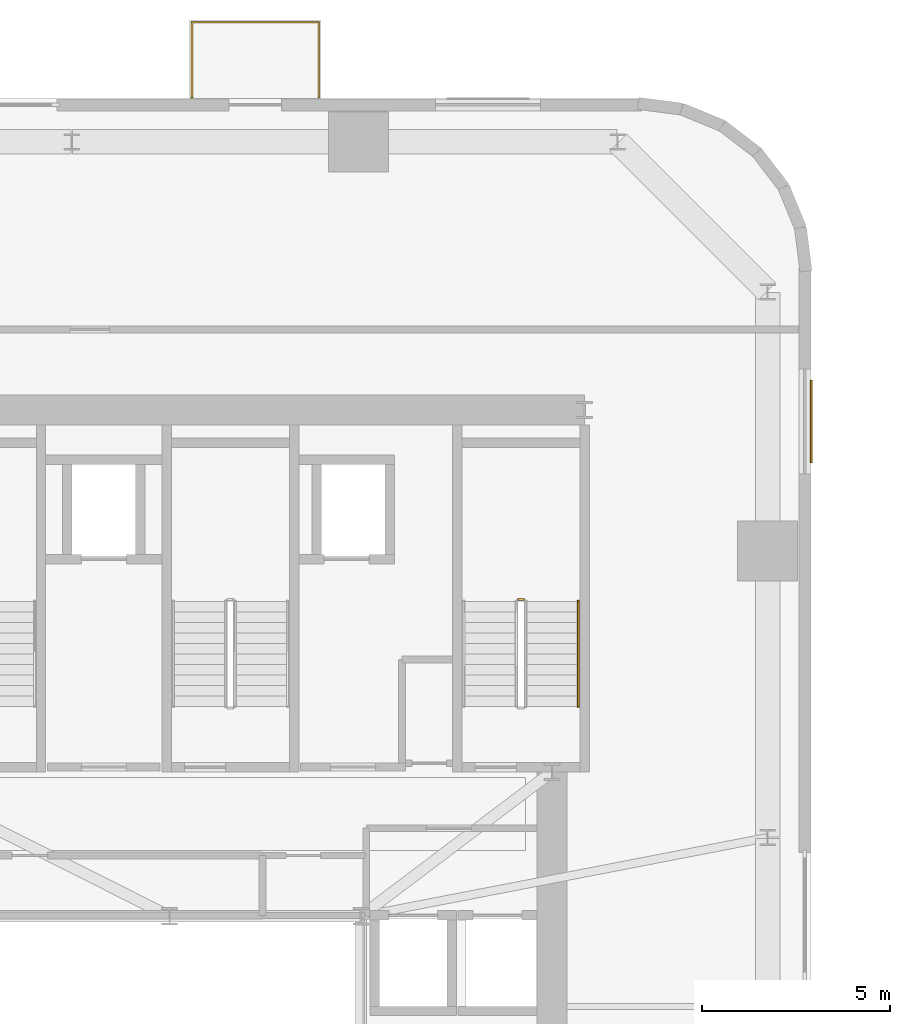
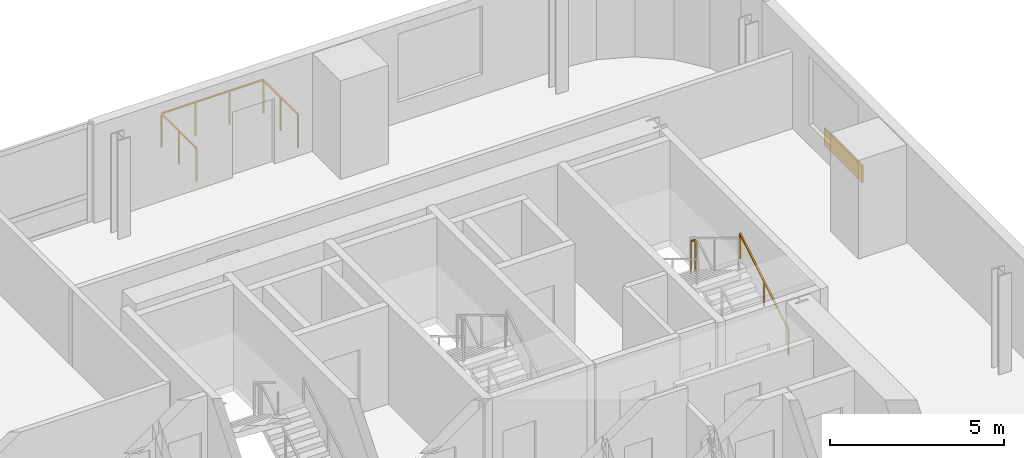
# One storey, part 12 of 12: 3 railings, 1 covering.
"""IFC4 building model written with IfcOpenShell, lengths in metres."""

from ifc_helpers import new_model, si_unit, direction, frame, origin, origin_2d, place, context, subcontext, project, spatial, rectangle, extrude, source, transform, mapped, material, layer, layer_set, type_object, element, save


model = new_model("IFC4")

# Units and contexts
model_context = context("Model", 3, precision=1e-05, world=origin(), true_north=direction((0.0, 1.0)))
body_context = subcontext(model_context, "Body", "Model", "MODEL_VIEW")
ifc_project = project(units=[si_unit("LENGTHUNIT", "METRE"), si_unit("AREAUNIT", "SQUARE_METRE"), si_unit("VOLUMEUNIT", "CUBIC_METRE"), si_unit("PLANEANGLEUNIT", "RADIAN"), si_unit("MASSUNIT", "GRAM", prefix="KILO")], contexts=[model_context])

# Site, building, storey
site_placement = place(None, origin())
site = spatial("IfcSite", under=ifc_project, at=site_placement, CompositionType="ELEMENT")
building_placement = place(site_placement, origin())
building = spatial("IfcBuilding", under=site, at=building_placement, Name="Vardaveli Station Tower", CompositionType="ELEMENT")
storey_placement = place(building_placement, frame((0.0, 0.0, 118.699951171875)))
storey = spatial("IfcBuildingStorey", under=building, at=storey_placement, Name="L30", CompositionType="ELEMENT", Elevation=118.699951171875)

# Covering
ifc_material_1 = material(Name="Ventilated honed travertine stone cladding", Category="masonry")
ifc_layer = layer(ifc_material_1, 0.044921875, Name="Ventilated honed travertine stone cladding")
ifc_layer_set = layer_set([ifc_layer], Name="Ventilated honed travertine stone cladding")
covering_type = type_object("IfcCoveringType", Name="COV-CLAD-TR45", PredefinedType="CLADDING", material=ifc_layer_set)
shared_shape_1 = source(origin(), body_context, "Body", "SweptSolid", [
    extrude(rectangle(XDim=2.199951171875, YDim=0.044921875, at=origin_2d()), origin(), (0.0, 0.0, 1.0), 0.6201171875),
])
covering_placement = place(storey_placement, frame((53.41455078125, 39.9951171875, 0.070068359375), z_axis=(0.0, 0.0, 1.0), x_axis=(0.0, 1.0, 0.0)))
element("IfcCovering", 1, at=covering_placement, inside=storey, type_object=covering_type, Name="CLD-TR-L30-E", PredefinedType="CLADDING", context=body_context, shape_type="MappedRepresentation", body=[
    mapped(shared_shape_1, transform((0.0, 0.0, 0.0), scale=1.0)),
])

# Railings
ifc_material_2 = material(Name="Laminated glass and stainless steel balustrade", Category="steel")
railing_type_1 = type_object("IfcRailingType", Name="RL-BAL-1200", PredefinedType="BALUSTRADE", material=ifc_material_2)
shared_shape_2 = source(origin(), body_context, "Body", "SweptSolid", [
    extrude(rectangle(XDim=0.048095703125, YDim=0.048095703125, at=origin_2d()), frame((0.0, 0.0, 1.17578125), z_axis=(0.0, 1.0, 0.0), x_axis=(-1.0, 0.0, 0.0)), (0.0, 0.0, 1.0), 2.0),
    extrude(rectangle(XDim=0.048095703125, YDim=0.048095703125, at=origin_2d()), frame((0.0, 2.0, 1.17578125), z_axis=(1.0, 0.0, 0.0), x_axis=(0.0, 1.0, 0.0)), (0.0, 0.0, 1.0), 3.3798828125),
    extrude(rectangle(XDim=0.048095703125, YDim=0.048095703125, at=origin_2d()), frame((3.3798828125, 2.0, 1.17578125), z_axis=(0.0, -1.0, 0.0), x_axis=(1.0, 0.0, 0.0)), (0.0, 0.0, 1.0), 2.0),
    extrude(rectangle(XDim=0.0419921875, YDim=0.0419921875, at=origin_2d()), origin(), (0.0, 0.0, 1.0), 1.15185546875),
    extrude(rectangle(XDim=0.0419921875, YDim=0.0419921875, at=origin_2d()), frame((0.0, 1.0, 0.0)), (0.0, 0.0, 1.0), 1.15185546875),
    extrude(rectangle(XDim=0.0419921875, YDim=0.0419921875, at=origin_2d()), frame((0.0, 2.0, 0.0)), (0.0, 0.0, 1.0), 1.15185546875),
    extrude(rectangle(XDim=0.0419921875, YDim=0.0419921875, at=origin_2d()), frame((1.126708984375, 2.0, 0.0)), (0.0, 0.0, 1.0), 1.15185546875),
    extrude(rectangle(XDim=0.0419921875, YDim=0.0419921875, at=origin_2d()), frame((2.253173828125, 2.0, 0.0)), (0.0, 0.0, 1.0), 1.15185546875),
    extrude(rectangle(XDim=0.0419921875, YDim=0.0419921875, at=origin_2d()), frame((3.3798828125, 2.0, 0.0)), (0.0, 0.0, 1.0), 1.15185546875),
    extrude(rectangle(XDim=0.0419921875, YDim=0.0419921875, at=origin_2d()), frame((3.3798828125, 1.0, 0.0)), (0.0, 0.0, 1.0), 1.15185546875),
    extrude(rectangle(XDim=0.0419921875, YDim=0.0419921875, at=origin_2d()), frame((3.3798828125, 0.0, 0.0)), (0.0, 0.0, 1.0), 1.15185546875),
])
railing_1_placement = place(storey_placement, frame((36.899658203125, 48.639892578125, 0.0)))
element("IfcRailing", 2, at=railing_1_placement, inside=storey, type_object=railing_type_1, Name="RL-LOG-L30-02", PredefinedType="BALUSTRADE", context=body_context, shape_type="MappedRepresentation", body=[
    mapped(shared_shape_2, transform((0.0, 0.0, 0.0), scale=1.0)),
])
ifc_material_3 = material(Name="Brushed AISI 316 stainless steel", Category="steel")
railing_type_2 = type_object("IfcRailingType", Name="RL-GUARD-1150", PredefinedType="GUARDRAIL", material=ifc_material_3)
shared_shape_3 = source(origin(), body_context, "Body", "SweptSolid", [
    extrude(rectangle(XDim=0.048095703125, YDim=0.048095703125, at=origin_2d()), frame((0.0, 0.0, 1.1259765625), z_axis=(-1.0, 0.0, 0.0), x_axis=(0.0, -1.0, 0.0)), (0.0, 0.0, 1.0), 0.14990234375),
    extrude(rectangle(XDim=0.0419921875, YDim=0.0419921875, at=origin_2d()), origin(), (0.0, 0.0, 1.0), 1.101806640625),
    extrude(rectangle(XDim=0.0419921875, YDim=0.0419921875, at=origin_2d()), frame((-0.14990234375, 0.0, 0.0)), (0.0, 0.0, 1.0), 1.101806640625),
])
railing_2_placement = place(storey_placement, frame((45.75, 35.25, 1.85009765625)))
element("IfcRailing", 3, at=railing_2_placement, inside=storey, type_object=railing_type_2, Name="L30 ST-3 stair guard 2", PredefinedType="GUARDRAIL", context=body_context, shape_type="MappedRepresentation", body=[
    mapped(shared_shape_3, transform((0.0, 0.0, 0.0), scale=1.0)),
])
railing_type_3 = type_object("IfcRailingType", Name="RL-HAND-900", PredefinedType="HANDRAIL", material=ifc_material_3)
shared_shape_4 = source(origin(), body_context, "Body", "SweptSolid", [
    extrude(rectangle(XDim=0.048095703125, YDim=0.048095703125, at=origin_2d()), frame((0.0, 0.0, 0.8759765625), z_axis=(0.0, 0.857242210791, 0.514913383045), x_axis=(-1.0, 0.0, 0.0)), (0.0, 0.0, 1.0), 3.266357421875),
    extrude(rectangle(XDim=0.0419921875, YDim=0.0419921875, at=origin_2d()), origin(), (0.0, 0.0, 1.0), 0.851806640625),
    extrude(rectangle(XDim=0.0419921875, YDim=0.0419921875, at=origin_2d()), frame((0.0, 1.39990234375, 0.8408203125)), (0.0, 0.0, 1.0), 0.851806640625),
    extrude(rectangle(XDim=0.0419921875, YDim=0.0419921875, at=origin_2d()), frame((0.0, 2.800048828125, 1.681884765625)), (0.0, 0.0, 1.0), 0.851806640625),
])
railing_3_placement = place(storey_placement, frame((47.199951171875, 32.39990234375, 0.168212890625)))
element("IfcRailing", 4, at=railing_3_placement, inside=storey, type_object=railing_type_3, Name="L30 ST-3 stair handrail 1", PredefinedType="HANDRAIL", context=body_context, shape_type="MappedRepresentation", body=[
    mapped(shared_shape_4, transform((0.0, 0.0, 0.0), scale=1.0)),
])

save(model, "model.ifc")
